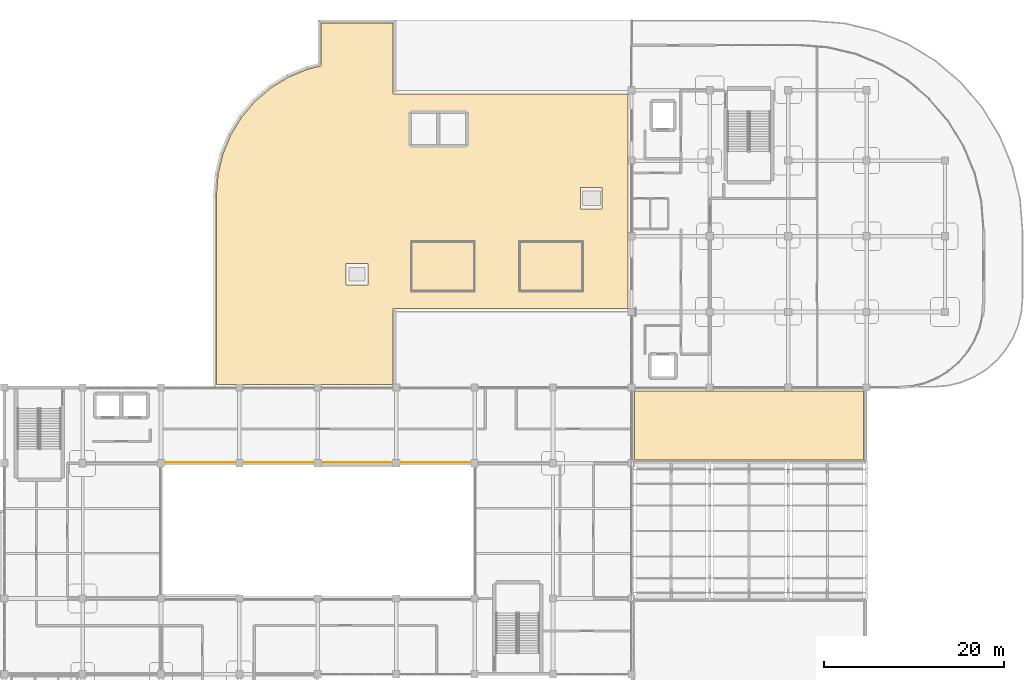
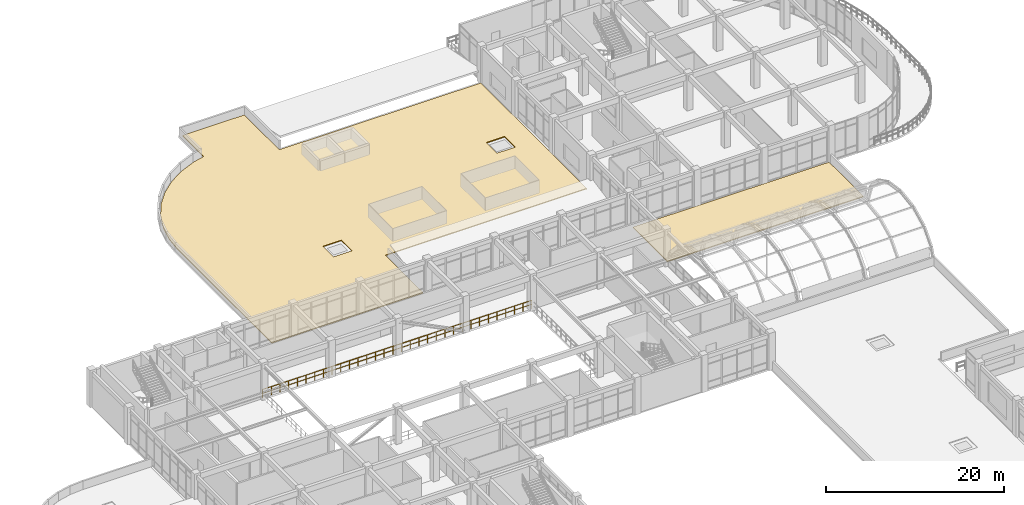
# One storey, part 120 of 124: 2 coverings, 1 railing.
"""IFC4 building model written with IfcOpenShell, lengths in metres."""

from ifc_helpers import new_model, si_unit, derived_unit, direction, frame, origin, origin_2d, place, context, subcontext, project, spatial, polyline, circle, outline, extrude, material, layer, layer_set, type_object, element, save


model = new_model("IFC4")

# Units and contexts
model_context = context("Model", 3, precision=1e-05, world=origin(), true_north=direction((0.0, 1.0)))
body_context = subcontext(model_context, "Body", "Model", "MODEL_VIEW")
ifc_project = project(units=[si_unit("LENGTHUNIT", "METRE"), si_unit("AREAUNIT", "SQUARE_METRE"), si_unit("VOLUMEUNIT", "CUBIC_METRE"), si_unit("PLANEANGLEUNIT", "RADIAN"), si_unit("MASSUNIT", "GRAM", prefix="KILO"), derived_unit("THERMALTRANSMITTANCEUNIT", [(si_unit("MASSUNIT", "GRAM", prefix="KILO"), 1), (si_unit("TIMEUNIT", "SECOND"), -3), (si_unit("THERMODYNAMICTEMPERATUREUNIT", "KELVIN"), -1)])], contexts=[model_context])

# Site, building, storey
site_placement = place(None, origin())
site = spatial("IfcSite", under=ifc_project, at=site_placement, CompositionType="ELEMENT")
building_placement = place(site_placement, origin())
building = spatial("IfcBuilding", under=site, at=building_placement, Name="Qinzheling Arcade Emporium", CompositionType="ELEMENT")
storey_placement = place(building_placement, frame((0.0, 0.0, 16.5)))
storey = spatial("IfcBuildingStorey", under=building, at=storey_placement, Name="L04", CompositionType="ELEMENT", Elevation=16.5)

# Railing
ifc_material_1 = material(Name="Galvanised powder-coated tubular steel", Category="steel")
railing_type = type_object("IfcRailingType", Name="Painted Steel Stairwell Guard Railing 1150", PredefinedType="GUARDRAIL", material=ifc_material_1)
railing_placement = place(storey_placement, frame((52.169921875, 65.47998046875, 0.0)))
element("IfcRailing", 1, at=railing_placement, inside=storey, type_object=railing_type, Name="Atrium Void Guard L04 N", PredefinedType="GUARDRAIL", context=body_context, shape_type="SweptSolid", body=[
    extrude(circle(Radius=0.02392578125, at=origin_2d()), frame((0.0, 0.0, 1.1259765625), z_axis=(1.0, 0.0, 0.0), x_axis=(0.0, 1.0, 0.0)), (0.0, 0.0, 1.0), 34.860107421875),
    extrude(circle(Radius=0.01611328125, at=origin_2d()), frame((0.0, 0.0, 0.574951171875), z_axis=(1.0, 0.0, 0.0), x_axis=(0.0, 1.0, 0.0)), (0.0, 0.0, 1.0), 34.860107421875),
    extrude(circle(Radius=0.02099609375, at=origin_2d()), origin(), (0.0, 0.0, 1.0), 1.101806640625),
    extrude(circle(Radius=0.02099609375, at=origin_2d()), frame((1.12451171875, 0.0, 0.0)), (0.0, 0.0, 1.0), 1.101806640625),
    extrude(circle(Radius=0.02099609375, at=origin_2d()), frame((2.2490234375, 0.0, 0.0)), (0.0, 0.0, 1.0), 1.101806640625),
    extrude(circle(Radius=0.02099609375, at=origin_2d()), frame((3.37353515625, 0.0, 0.0)), (0.0, 0.0, 1.0), 1.101806640625),
    extrude(circle(Radius=0.02099609375, at=origin_2d()), frame((4.498046875, 0.0, 0.0)), (0.0, 0.0, 1.0), 1.101806640625),
    extrude(circle(Radius=0.02099609375, at=origin_2d()), frame((5.62255859375, 0.0, 0.0)), (0.0, 0.0, 1.0), 1.101806640625),
    extrude(circle(Radius=0.02099609375, at=origin_2d()), frame((6.7470703125, 0.0, 0.0)), (0.0, 0.0, 1.0), 1.101806640625),
    extrude(circle(Radius=0.02099609375, at=origin_2d()), frame((7.87158203125, 0.0, 0.0)), (0.0, 0.0, 1.0), 1.101806640625),
    extrude(circle(Radius=0.02099609375, at=origin_2d()), frame((8.99609375, 0.0, 0.0)), (0.0, 0.0, 1.0), 1.101806640625),
    extrude(circle(Radius=0.02099609375, at=origin_2d()), frame((10.12060546875, 0.0, 0.0)), (0.0, 0.0, 1.0), 1.101806640625),
    extrude(circle(Radius=0.02099609375, at=origin_2d()), frame((11.2451171875, 0.0, 0.0)), (0.0, 0.0, 1.0), 1.101806640625),
    extrude(circle(Radius=0.02099609375, at=origin_2d()), frame((12.36962890625, 0.0, 0.0)), (0.0, 0.0, 1.0), 1.101806640625),
    extrude(circle(Radius=0.02099609375, at=origin_2d()), frame((13.494140625, 0.0, 0.0)), (0.0, 0.0, 1.0), 1.101806640625),
    extrude(circle(Radius=0.02099609375, at=origin_2d()), frame((14.61865234375, 0.0, 0.0)), (0.0, 0.0, 1.0), 1.101806640625),
    extrude(circle(Radius=0.02099609375, at=origin_2d()), frame((15.7431640625, 0.0, 0.0)), (0.0, 0.0, 1.0), 1.101806640625),
    extrude(circle(Radius=0.02099609375, at=origin_2d()), frame((16.86767578125, 0.0, 0.0)), (0.0, 0.0, 1.0), 1.101806640625),
    extrude(circle(Radius=0.02099609375, at=origin_2d()), frame((17.992431640625, 0.0, 0.0)), (0.0, 0.0, 1.0), 1.101806640625),
    extrude(circle(Radius=0.02099609375, at=origin_2d()), frame((19.116943359375, 0.0, 0.0)), (0.0, 0.0, 1.0), 1.101806640625),
    extrude(circle(Radius=0.02099609375, at=origin_2d()), frame((20.241455078125, 0.0, 0.0)), (0.0, 0.0, 1.0), 1.101806640625),
    extrude(circle(Radius=0.02099609375, at=origin_2d()), frame((21.365966796875, 0.0, 0.0)), (0.0, 0.0, 1.0), 1.101806640625),
    extrude(circle(Radius=0.02099609375, at=origin_2d()), frame((22.490478515625, 0.0, 0.0)), (0.0, 0.0, 1.0), 1.101806640625),
    extrude(circle(Radius=0.02099609375, at=origin_2d()), frame((23.614990234375, 0.0, 0.0)), (0.0, 0.0, 1.0), 1.101806640625),
    extrude(circle(Radius=0.02099609375, at=origin_2d()), frame((24.739501953125, 0.0, 0.0)), (0.0, 0.0, 1.0), 1.101806640625),
    extrude(circle(Radius=0.02099609375, at=origin_2d()), frame((25.864013671875, 0.0, 0.0)), (0.0, 0.0, 1.0), 1.101806640625),
    extrude(circle(Radius=0.02099609375, at=origin_2d()), frame((26.988525390625, 0.0, 0.0)), (0.0, 0.0, 1.0), 1.101806640625),
    extrude(circle(Radius=0.02099609375, at=origin_2d()), frame((28.113037109375, 0.0, 0.0)), (0.0, 0.0, 1.0), 1.101806640625),
    extrude(circle(Radius=0.02099609375, at=origin_2d()), frame((29.237548828125, 0.0, 0.0)), (0.0, 0.0, 1.0), 1.101806640625),
    extrude(circle(Radius=0.02099609375, at=origin_2d()), frame((30.362060546875, 0.0, 0.0)), (0.0, 0.0, 1.0), 1.101806640625),
    extrude(circle(Radius=0.02099609375, at=origin_2d()), frame((31.486572265625, 0.0, 0.0)), (0.0, 0.0, 1.0), 1.101806640625),
    extrude(circle(Radius=0.02099609375, at=origin_2d()), frame((32.611083984375, 0.0, 0.0)), (0.0, 0.0, 1.0), 1.101806640625),
    extrude(circle(Radius=0.02099609375, at=origin_2d()), frame((33.735595703125, 0.0, 0.0)), (0.0, 0.0, 1.0), 1.101806640625),
    extrude(circle(Radius=0.02099609375, at=origin_2d()), frame((34.860107421875, 0.0, 0.0)), (0.0, 0.0, 1.0), 1.101806640625),
])

# Coverings
ifc_material_2 = material(Name="TPO waterproof membrane over rigid polyisocyanurate insulation")
ifc_layer = layer(ifc_material_2, 0.1201171875, Name="TPO waterproof membrane over rigid polyisocyanurate insulation")
ifc_layer_set = layer_set([ifc_layer], Name="TPO waterproof membrane over rigid polyisocyanurate insulation")
covering_type = type_object("IfcCoveringType", Name="TPO Waterproof Insulated Roof Membrane 120", PredefinedType="ROOFING", material=ifc_layer_set)
covering_1_placement = place(storey_placement, origin())
element("IfcCovering", 2, at=covering_1_placement, inside=storey, type_object=covering_type, Name="Roof Membrane L04 2", PredefinedType="ROOFING", context=body_context, shape_type="SweptSolid", body=[
    extrude(outline(polyline([(58.35009765625, 95.18603515625), (58.531982421875, 97.491943359375), (59.068115234375, 99.72705078125), (59.947998046875, 101.85107421875), (61.14892578125, 103.81103515625), (62.64111328125, 105.55908203125), (64.388916015625, 107.051025390625), (66.34912109375, 108.251953125), (68.472900390625, 109.132080078125), (69.949951171875, 109.486083984375), (69.949951171875, 114.25), (77.949951171875, 114.25), (77.949951171875, 106.39990234375), (104.050048828125, 106.39990234375), (104.050048828125, 82.60009765625), (77.949951171875, 82.60009765625), (77.949951171875, 74.14990234375), (58.35009765625, 74.14990234375), (58.35009765625, 95.18603515625)]), holes=[polyline([(101.14990234375, 96.0), (98.75, 96.0), (98.75, 93.60009765625), (101.14990234375, 93.60009765625), (101.14990234375, 96.0)]), polyline([(72.75, 87.60009765625), (72.75, 85.199951171875), (75.14990234375, 85.199951171875), (75.14990234375, 87.60009765625), (72.75, 87.60009765625)])]), origin(), (0.0, 0.0, 1.0), 0.1201171875),
])
covering_2_placement = place(storey_placement, origin())
element("IfcCovering", 3, at=covering_2_placement, inside=storey, type_object=covering_type, Name="Roof Membrane L04 4", PredefinedType="ROOFING", context=body_context, shape_type="SweptSolid", body=[
    extrude(outline(polyline([(130.14990234375, 65.75), (104.75, 65.75), (104.75, 73.449951171875), (130.14990234375, 73.449951171875), (130.14990234375, 65.75)])), origin(), (0.0, 0.0, 1.0), 0.1201171875),
])

save(model, "model.ifc")
